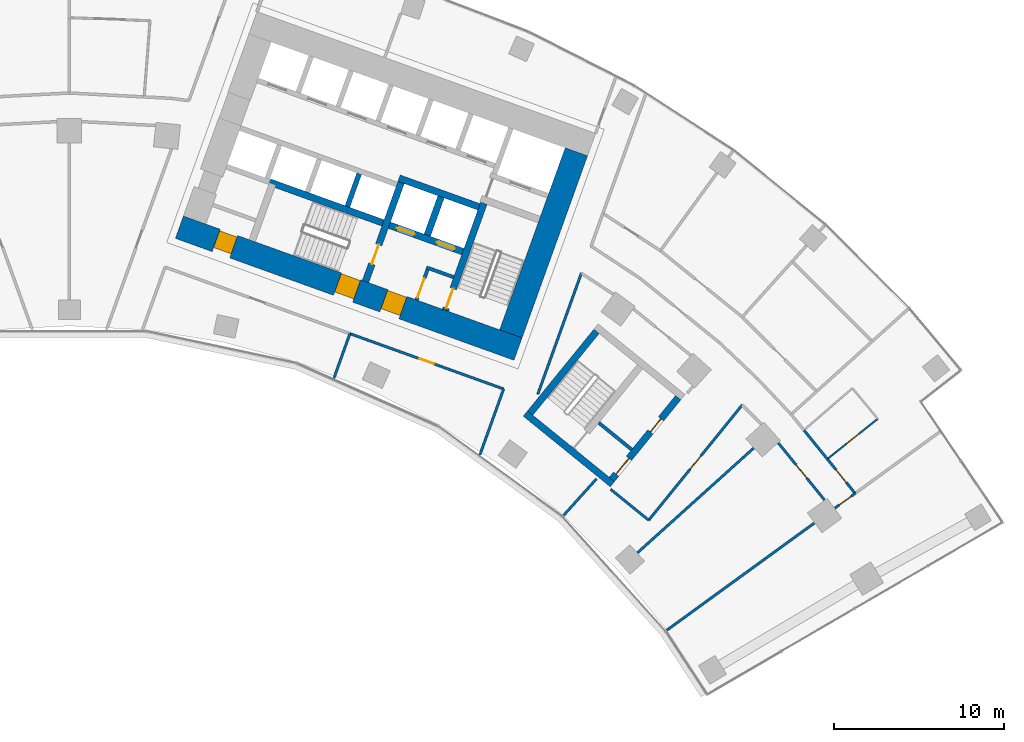
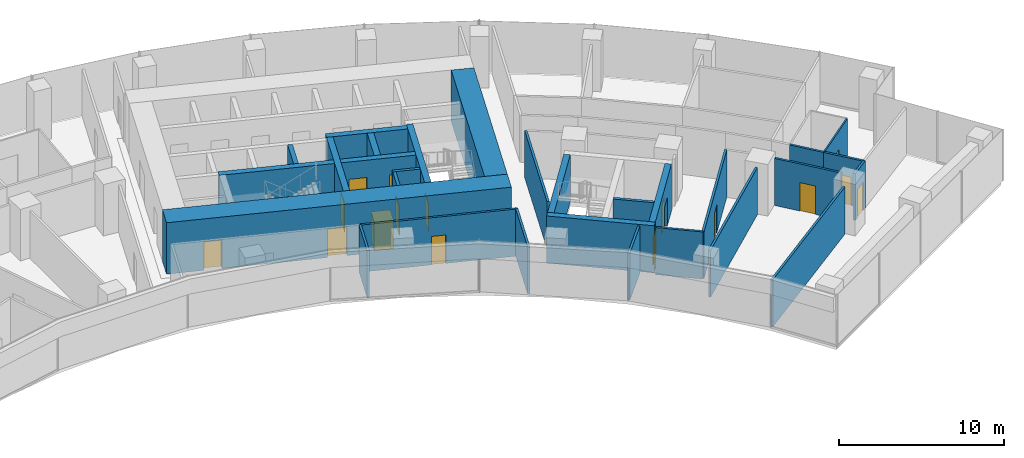
# One storey, part 16 of 20: 28 walls, 16 doors, 16 openings.
"""IFC4 building model written with IfcOpenShell, lengths in metres."""

from ifc_helpers import new_model, si_unit, direction, frame, frame_2d, origin, place, context, subcontext, project, spatial, rectangle, extrude, material, layer, layer_set, type_object, element, fill, save


model = new_model("IFC4")

# Units and contexts
model_context = context("Model", 3, precision=1e-05, world=origin(), true_north=direction((0.0, 1.0)))
body_context = subcontext(model_context, "Body", "Model", "MODEL_VIEW")
ifc_project = project(units=[si_unit("LENGTHUNIT", "METRE"), si_unit("AREAUNIT", "SQUARE_METRE"), si_unit("VOLUMEUNIT", "CUBIC_METRE"), si_unit("PLANEANGLEUNIT", "RADIAN"), si_unit("MASSUNIT", "GRAM", prefix="KILO")], contexts=[model_context])

# Site, building, storey
site_placement = place(None, origin())
site = spatial("IfcSite", under=ifc_project, at=site_placement, CompositionType="ELEMENT")
building_placement = place(site_placement, origin())
building = spatial("IfcBuilding", under=site, at=building_placement, Name="Stone Belt Terrace Tower", CompositionType="ELEMENT")
storey_placement = place(building_placement, frame((0.0, 0.0, 106.0)))
storey = spatial("IfcBuildingStorey", under=building, at=storey_placement, Name="L25", CompositionType="ELEMENT", Elevation=106.0)

# Wall, openings, doors
ifc_material_1 = material(Name="Concrete B80", Category="concrete")
ifc_layer_1 = layer(ifc_material_1, 1.39990234375)
ifc_layer_set_1 = layer_set([ifc_layer_1], Name="Core wall 1400 B80")
wall_type_1 = type_object("IfcWallType", Name="Core wall 1400 B80", PredefinedType="SHEAR", material=ifc_layer_set_1)
wall_1_placement = place(storey_placement, frame((6.4833984375, 49.318115234375, 0.0), z_axis=(0.0, 0.0, 1.0), x_axis=(0.940923374003, -0.33861955681, 0.0)))
wall_1 = element("IfcWall", 1, at=wall_1_placement, inside=storey, type_object=wall_type_1, Name="Core B wall concave L25", PredefinedType="SHEAR", context=body_context, shape_type="SweptSolid", body=[
    extrude(rectangle(XDim=21.199951171875, YDim=1.39990234375, at=frame_2d((10.60009765625, 0.0))), origin(), (0.0, 0.0, 1.0), 3.800048828125),
])
opening_1_placement = place(wall_1_placement, frame((12.800048828125, 0.0, 0.0)))
opening_1 = element("IfcOpeningElement", 2, at=opening_1_placement, cuts=wall_1, Name="Opening L25-C14", PredefinedType="OPENING", context=body_context, shape_type="SweptSolid", body=[
    extrude(rectangle(XDim=1.199951171875, YDim=2.10009765625, at=frame_2d((0.60009765625, 1.050048828125))), frame((0.0, 0.7099609375, 0.0), z_axis=(0.0, -1.0, 0.0), x_axis=(1.0, 0.0, 0.0)), (0.0, 0.0, 1.0), 1.419921875),
])
opening_2_placement = place(wall_1_placement, frame((9.89990234375, 0.0, 0.0)))
opening_2 = element("IfcOpeningElement", 3, at=opening_2_placement, cuts=wall_1, Name="Opening L25-C16", PredefinedType="OPENING", context=body_context, shape_type="SweptSolid", body=[
    extrude(rectangle(XDim=1.199951171875, YDim=2.10009765625, at=frame_2d((0.60009765625, 1.050048828125))), frame((0.0, 0.7099609375, 0.0), z_axis=(0.0, -1.0, 0.0), x_axis=(1.0, 0.0, 0.0)), (0.0, 0.0, 1.0), 1.419921875),
])
opening_3_placement = place(wall_1_placement, frame((2.300048828125, 0.0, 0.0)))
opening_3 = element("IfcOpeningElement", 4, at=opening_3_placement, cuts=wall_1, Name="Opening L25-C18", PredefinedType="OPENING", context=body_context, shape_type="SweptSolid", body=[
    extrude(rectangle(XDim=1.10009765625, YDim=2.10009765625, at=frame_2d((0.550048828125, 1.050048828125))), frame((0.0, 0.7099609375, 0.0), z_axis=(0.0, -1.0, 0.0), x_axis=(1.0, 0.0, 0.0)), (0.0, 0.0, 1.0), 1.419921875),
])
ifc_material_2 = material(Name="Timber door leaf", Category="wood")
door_type_1 = type_object("IfcDoorType", Name="Core room door 1100", OperationType="SINGLE_SWING_LEFT", PredefinedType="DOOR", material=ifc_material_2)
door_1_placement = place(opening_3_placement, origin())
door_1 = element("IfcDoor", 5, at=door_1_placement, inside=storey, type_object=door_type_1, Name="Door to Pipe riser core B", OperationType="SINGLE_SWING_LEFT", OverallHeight=2.10009765625, OverallWidth=1.10009765625, PredefinedType="DOOR", context=body_context, shape_type="SweptSolid", body=[
    extrude(rectangle(XDim=1.10009765625, YDim=2.10009765625, at=frame_2d((0.550048828125, 1.050048828125))), frame((0.0, 0.60498046875, 0.0), z_axis=(0.0, -1.0, 0.0), x_axis=(1.0, 0.0, 0.0)), (0.0, 0.0, 1.0), 1.050048828125),
])
fill(opening_3, door_1)
ifc_material_3 = material(Name="Steel door leaf", Category="steel")
door_type_2 = type_object("IfcDoorType", Name="Fire-fighting lobby door 1200", OperationType="SINGLE_SWING_LEFT", PredefinedType="DOOR", material=ifc_material_3)
door_2_placement = place(opening_1_placement, origin())
door_2 = element("IfcDoor", 6, at=door_2_placement, inside=storey, type_object=door_type_2, Name="Fire-fighting lobby door core B", OperationType="SINGLE_SWING_LEFT", OverallHeight=2.10009765625, OverallWidth=1.199951171875, PredefinedType="DOOR", context=body_context, shape_type="SweptSolid", body=[
    extrude(rectangle(XDim=1.199951171875, YDim=2.10009765625, at=frame_2d((0.60009765625, 1.050048828125))), frame((0.0, 0.655029296875, 0.0), z_axis=(0.0, -1.0, 0.0), x_axis=(1.0, 0.0, 0.0)), (0.0, 0.0, 1.0), 1.14990234375),
])
fill(opening_1, door_2)
door_type_3 = type_object("IfcDoorType", Name="Stair door 1200", OperationType="SINGLE_SWING_LEFT", PredefinedType="DOOR", material=ifc_material_3)
door_3_placement = place(opening_2_placement, origin())
door_3 = element("IfcDoor", 7, at=door_3_placement, inside=storey, type_object=door_type_3, Name="Stair 2 exit door core B", OperationType="SINGLE_SWING_RIGHT", OverallHeight=2.10009765625, OverallWidth=1.199951171875, PredefinedType="DOOR", context=body_context, shape_type="SweptSolid", body=[
    extrude(rectangle(XDim=1.199951171875, YDim=2.10009765625, at=frame_2d((0.60009765625, 1.050048828125))), frame((0.0, 0.655029296875, 0.0), z_axis=(0.0, -1.0, 0.0), x_axis=(1.0, 0.0, 0.0)), (0.0, 0.0, 1.0), 1.14990234375),
])
fill(opening_2, door_3)

# Walls
wall_2_placement = place(storey_placement, frame((26.00927734375, 43.03515625, 0.0), z_axis=(0.0, 0.0, 1.0), x_axis=(0.338625431531, 0.940921259788, 0.0)))
element("IfcWall", 8, at=wall_2_placement, inside=storey, type_object=wall_type_1, Name="Core B wall end_b L25", PredefinedType="SHEAR", context=body_context, shape_type="SweptSolid", body=[
    extrude(rectangle(XDim=11.400146484375, YDim=1.39990234375, at=frame_2d((5.7001953125, 0.0))), origin(), (0.0, 0.0, 1.0), 3.800048828125),
])
ifc_layer_2 = layer(ifc_material_1, 0.39990234375)
ifc_layer_set_2 = layer_set([ifc_layer_2], Name="Fire-fighting lift shaft wall 400")
wall_type_2 = type_object("IfcWallType", Name="Fire-fighting lift shaft wall 400", PredefinedType="SHEAR", material=ifc_layer_set_2)
wall_3_placement = place(storey_placement, frame((24.130615234375, 50.512939453125, 0.0), z_axis=(0.0, 0.0, 1.0), x_axis=(-0.94091168377, 0.338652038744, 0.0)))
element("IfcWall", 9, at=wall_3_placement, inside=storey, type_object=wall_type_2, Name="Core B wall", PredefinedType="SHEAR", context=body_context, shape_type="SweptSolid", body=[
    extrude(rectangle(XDim=5.000244140625, YDim=0.39990234375, at=frame_2d((2.5, 0.0))), origin(), (0.0, 0.0, 1.0), 3.47998046875),
])
wall_4_placement = place(storey_placement, frame((21.0859375, 48.845458984375, 0.0), z_axis=(0.0, 0.0, 1.0), x_axis=(0.338629416206, 0.940919825745, 0.0)))
element("IfcWall", 10, at=wall_4_placement, inside=storey, type_object=wall_type_2, Name="Core B wall", PredefinedType="SHEAR", context=body_context, shape_type="SweptSolid", body=[
    extrude(rectangle(XDim=2.400146484375, YDim=0.39990234375, at=frame_2d((1.2001953125, 0.0))), origin(), (0.0, 0.0, 1.0), 3.47998046875),
])
ifc_layer_3 = layer(ifc_material_1, 0.300048828125)
ifc_layer_set_3 = layer_set([ifc_layer_3], Name="Lift shaft wall 300")
wall_type_3 = type_object("IfcWallType", Name="Lift shaft wall 300", PredefinedType="SHEAR", material=ifc_layer_set_3)
wall_5_placement = place(storey_placement, frame((16.38134765625, 50.53857421875, 0.0), z_axis=(0.0, 0.0, 1.0), x_axis=(0.338681515556, 0.940901073982, 0.0)))
element("IfcWall", 11, at=wall_5_placement, inside=storey, type_object=wall_type_3, Name="Core B wall", PredefinedType="SHEAR", context=body_context, shape_type="SweptSolid", body=[
    extrude(rectangle(XDim=2.050048828125, YDim=0.300048828125, at=frame_2d((1.02490234375, 0.0))), origin(), (0.0, 0.0, 1.0), 3.47998046875),
])

# Wall, opening, door
ifc_material_4 = material(Name="Gypsum board partition")
ifc_layer_4 = layer(ifc_material_4, 0.10009765625)
ifc_layer_set_4 = layer_set([ifc_layer_4], Name="PARTITION 100")
wall_type_4 = type_object("IfcWallType", Name="PARTITION 100", PredefinedType="PARTITIONING", material=ifc_layer_set_4)
wall_6_placement = place(storey_placement, frame((44.657958984375, 35.658935546875, 0.0), z_axis=(0.0, 0.0, 1.0), x_axis=(0.781420349755, 0.624004997567, 0.0)))
wall_6 = element("IfcWall", 12, at=wall_6_placement, inside=storey, type_object=wall_type_4, Name="L25/wall/i080", PredefinedType="PARTITIONING", context=body_context, shape_type="SweptSolid", body=[
    extrude(rectangle(XDim=3.79833984375, YDim=0.10009765625, at=frame_2d((1.899169921875, 0.0))), origin(), (0.0, 0.0, 1.0), 3.47998046875),
])
opening_4_placement = place(wall_6_placement, frame((1.448974609375, 0.0, 0.0)))
opening_4 = element("IfcOpeningElement", 13, at=opening_4_placement, cuts=wall_6, Name="Opening D-B3-25", PredefinedType="OPENING", context=body_context, shape_type="SweptSolid", body=[
    extrude(rectangle(XDim=0.89990234375, YDim=2.10009765625, at=frame_2d((0.449951171875, 1.050048828125))), frame((0.0, 0.06005859375, 0.0), z_axis=(0.0, -1.0, 0.0), x_axis=(1.0, 0.0, 0.0)), (0.0, 0.0, 1.0), 0.1201171875),
])
door_type_4 = type_object("IfcDoorType", Name="OFFICE DOOR 900 X 2100", OperationType="NOTDEFINED", PredefinedType="DOOR", material=ifc_material_2)
door_4_placement = place(opening_4_placement, origin())
door_4 = element("IfcDoor", 14, at=door_4_placement, inside=storey, type_object=door_type_4, Name="L25/door/i25", OperationType="SINGLE_SWING_RIGHT", OverallHeight=2.10009765625, OverallWidth=0.89990234375, PredefinedType="DOOR", context=body_context, shape_type="SweptSolid", body=[
    extrude(rectangle(XDim=0.89990234375, YDim=2.10009765625, at=frame_2d((0.449951171875, 1.050048828125))), frame((0.0, 0.02490234375, 0.0), z_axis=(0.0, -1.0, 0.0), x_axis=(1.0, 0.0, 0.0)), (0.0, 0.0, 1.0), 0.050048828125),
])
fill(opening_4, door_4)

# Walls
ifc_layer_5 = layer(ifc_material_4, 0.14990234375)
ifc_layer_set_5 = layer_set([ifc_layer_5], Name="PARTITION 150 EI 60")
wall_type_5 = type_object("IfcWallType", Name="PARTITION 150 EI 60", PredefinedType="PARTITIONING", material=ifc_layer_set_5)
wall_7_placement = place(storey_placement, frame((24.18603515625, 35.902099609375, 0.0), z_axis=(0.0, 0.0, 1.0), x_axis=(0.338545933013, 0.940949866486, 0.0)))
element("IfcWall", 15, at=wall_7_placement, inside=storey, type_object=wall_type_5, Name="L25/wall/i018", PredefinedType="PARTITIONING", context=body_context, shape_type="SweptSolid", body=[
    extrude(rectangle(XDim=4.135009765625, YDim=0.14990234375, at=frame_2d((2.0673828125, 0.0))), origin(), (0.0, 0.0, 1.0), 3.47998046875),
])
wall_8_placement = place(storey_placement, frame((30.1669921875, 46.612060546875, 0.0), z_axis=(0.0, 0.0, 1.0), x_axis=(-0.338694393991, -0.940896438233, 0.0)))
element("IfcWall", 16, at=wall_8_placement, inside=storey, type_object=wall_type_5, Name="L25/wall/i020", PredefinedType="PARTITIONING", context=body_context, shape_type="SweptSolid", body=[
    extrude(rectangle(XDim=7.585205078125, YDim=0.14990234375, at=frame_2d((3.79248046875, 0.0))), origin(), (0.0, 0.0, 1.0), 3.47998046875),
])
wall_9_placement = place(storey_placement, frame((31.054931640625, 34.489990234375, 0.0), z_axis=(0.0, 0.0, 1.0), x_axis=(-0.669108362487, -0.743164853347, 0.0)))
element("IfcWall", 17, at=wall_9_placement, inside=storey, type_object=wall_type_5, Name="L25/wall/i021", PredefinedType="PARTITIONING", context=body_context, shape_type="SweptSolid", body=[
    extrude(rectangle(XDim=2.910888671875, YDim=0.14990234375, at=frame_2d((1.45556640625, 0.0))), origin(), (0.0, 0.0, 1.0), 3.47998046875),
])

# Wall, opening, door
wall_10_placement = place(storey_placement, frame((25.583984375, 39.787109375, 0.0), z_axis=(0.0, 0.0, 1.0), x_axis=(-0.940920049303, 0.338628795025, 0.0)))
wall_10 = element("IfcWall", 18, at=wall_10_placement, inside=storey, type_object=wall_type_5, Name="L25/wall/i025", PredefinedType="PARTITIONING", context=body_context, shape_type="SweptSolid", body=[
    extrude(rectangle(XDim=9.6298828125, YDim=0.14990234375, at=frame_2d((4.81494140625, 0.0))), origin(), (0.0, 0.0, 1.0), 3.47998046875),
])
opening_5_placement = place(wall_10_placement, frame((4.364990234375, 0.0, 0.0)))
opening_5 = element("IfcOpeningElement", 19, at=opening_5_placement, cuts=wall_10, Name="Opening D-B3-06", PredefinedType="OPENING", context=body_context, shape_type="SweptSolid", body=[
    extrude(rectangle(XDim=0.89990234375, YDim=2.10009765625, at=frame_2d((0.449951171875, 1.050048828125))), frame((0.0, 0.0849609375, 0.0), z_axis=(0.0, -1.0, 0.0), x_axis=(1.0, 0.0, 0.0)), (0.0, 0.0, 1.0), 0.169921875),
])
door_5_placement = place(opening_5_placement, origin())
door_5 = element("IfcDoor", 20, at=door_5_placement, inside=storey, type_object=door_type_4, Name="L25/door/i06", OperationType="SINGLE_SWING_RIGHT", OverallHeight=2.10009765625, OverallWidth=0.89990234375, PredefinedType="DOOR", context=body_context, shape_type="SweptSolid", body=[
    extrude(rectangle(XDim=0.89990234375, YDim=2.10009765625, at=frame_2d((0.449951171875, 1.050048828125))), frame((0.0, 0.02490234375, 0.0), z_axis=(0.0, -1.0, 0.0), x_axis=(1.0, 0.0, 0.0)), (0.0, 0.0, 1.0), 0.050048828125),
])
fill(opening_5, door_5)

# Wall
wall_11_placement = place(storey_placement, frame((16.529052734375, 43.0458984375, 0.0), z_axis=(0.0, 0.0, 1.0), x_axis=(-0.338428517888, -0.940992103198, 0.0)))
element("IfcWall", 21, at=wall_11_placement, inside=storey, type_object=wall_type_5, Name="L25/wall/i026", PredefinedType="PARTITIONING", context=body_context, shape_type="SweptSolid", body=[
    extrude(rectangle(XDim=2.793212890625, YDim=0.14990234375, at=frame_2d((1.396484375, 0.0))), origin(), (0.0, 0.0, 1.0), 3.47998046875),
])

# Wall, opening, door
wall_12_placement = place(storey_placement, frame((46.301025390625, 33.638916015625, 0.0), z_axis=(0.0, 0.0, 1.0), x_axis=(-0.809407972322, -0.587246740597, 0.0)))
wall_12 = element("IfcWall", 22, at=wall_12_placement, inside=storey, type_object=wall_type_5, Name="L25/wall/i050", PredefinedType="PARTITIONING", context=body_context, shape_type="SweptSolid", body=[
    extrude(rectangle(XDim=1.475830078125, YDim=0.14990234375, at=frame_2d((0.73779296875, 0.0))), origin(), (0.0, 0.0, 1.0), 3.47998046875),
])
opening_6_placement = place(wall_12_placement, frame((0.287841796875, 0.0, 0.0)))
opening_6 = element("IfcOpeningElement", 23, at=opening_6_placement, cuts=wall_12, Name="Opening D-B3-16", PredefinedType="OPENING", context=body_context, shape_type="SweptSolid", body=[
    extrude(rectangle(XDim=0.89990234375, YDim=2.10009765625, at=frame_2d((0.449951171875, 1.050048828125))), frame((0.0, 0.0849609375, 0.0), z_axis=(0.0, -1.0, 0.0), x_axis=(1.0, 0.0, 0.0)), (0.0, 0.0, 1.0), 0.169921875),
])
door_6_placement = place(opening_6_placement, origin())
door_6 = element("IfcDoor", 24, at=door_6_placement, inside=storey, type_object=door_type_4, Name="L25/door/i16", OperationType="SINGLE_SWING_RIGHT", OverallHeight=2.10009765625, OverallWidth=0.89990234375, PredefinedType="DOOR", context=body_context, shape_type="SweptSolid", body=[
    extrude(rectangle(XDim=0.89990234375, YDim=2.10009765625, at=frame_2d((0.449951171875, 1.050048828125))), frame((0.0, 0.02490234375, 0.0), z_axis=(0.0, -1.0, 0.0), x_axis=(1.0, 0.0, 0.0)), (0.0, 0.0, 1.0), 0.050048828125),
])
fill(opening_6, door_6)

# Wall
wall_13_placement = place(storey_placement, frame((35.192138671875, 25.568115234375, 0.0), z_axis=(0.0, 0.0, 1.0), x_axis=(0.809024841759, 0.587774451143, 0.0)))
element("IfcWall", 25, at=wall_13_placement, inside=storey, type_object=wall_type_5, Name="L25/wall/i051", PredefinedType="PARTITIONING", context=body_context, shape_type="SweptSolid", body=[
    extrude(rectangle(XDim=10.745361328125, YDim=0.14990234375, at=frame_2d((5.37255859375, 0.0))), origin(), (0.0, 0.0, 1.0), 3.47998046875),
])

# Wall, opening, door
wall_14_placement = place(storey_placement, frame((44.485107421875, 33.253662109375, 0.0), z_axis=(0.0, 0.0, 1.0), x_axis=(-0.629214542808, 0.777231663739, 0.0)))
wall_14 = element("IfcWall", 26, at=wall_14_placement, inside=storey, type_object=wall_type_5, Name="L25/wall/i059", PredefinedType="PARTITIONING", context=body_context, shape_type="SweptSolid", body=[
    extrude(rectangle(XDim=4.304931640625, YDim=0.14990234375, at=frame_2d((2.15234375, 0.0))), origin(), (0.0, 0.0, 1.0), 3.47998046875),
])
opening_7_placement = place(wall_14_placement, frame((1.652587890625, 0.0, 0.0)))
opening_7 = element("IfcOpeningElement", 27, at=opening_7_placement, cuts=wall_14, Name="Opening D-B3-19", PredefinedType="OPENING", context=body_context, shape_type="SweptSolid", body=[
    extrude(rectangle(XDim=1.0, YDim=2.10009765625, at=frame_2d((0.5, 1.050048828125))), frame((0.0, 0.0849609375, 0.0), z_axis=(0.0, -1.0, 0.0), x_axis=(1.0, 0.0, 0.0)), (0.0, 0.0, 1.0), 0.169921875),
])
ifc_material_5 = material(Name="Timber fire door leaf", Category="wood")
door_type_5 = type_object("IfcDoorType", Name="TENANCY ENTRANCE DOOR 1000 X 2100", OperationType="NOTDEFINED", PredefinedType="DOOR", material=ifc_material_5)
door_7_placement = place(opening_7_placement, origin())
door_7 = element("IfcDoor", 28, at=door_7_placement, inside=storey, type_object=door_type_5, Name="L25/door/i19", OperationType="SINGLE_SWING_RIGHT", OverallHeight=2.10009765625, OverallWidth=1.0, PredefinedType="DOOR", context=body_context, shape_type="SweptSolid", body=[
    extrude(rectangle(XDim=1.0, YDim=2.10009765625, at=frame_2d((0.5, 1.050048828125))), frame((0.0, 0.02490234375, 0.0), z_axis=(0.0, -1.0, 0.0), x_axis=(1.0, 0.0, 0.0)), (0.0, 0.0, 1.0), 0.050048828125),
])
fill(opening_7, door_7)

wall_15_placement = place(storey_placement, frame((44.654052734375, 35.6630859375, 0.0), z_axis=(0.0, 0.0, 1.0), x_axis=(0.629397440797, -0.777083561477, 0.0)))
wall_15 = element("IfcWall", 29, at=wall_15_placement, inside=storey, type_object=wall_type_5, Name="L25/wall/i062", PredefinedType="PARTITIONING", context=body_context, shape_type="SweptSolid", body=[
    extrude(rectangle(XDim=2.608642578125, YDim=0.14990234375, at=frame_2d((1.30419921875, 0.0))), origin(), (0.0, 0.0, 1.0), 3.47998046875),
])
opening_8_placement = place(wall_15_placement, frame((0.80419921875, 0.0, 0.0)))
opening_8 = element("IfcOpeningElement", 30, at=opening_8_placement, cuts=wall_15, Name="Opening D-B3-24", PredefinedType="OPENING", context=body_context, shape_type="SweptSolid", body=[
    extrude(rectangle(XDim=1.0, YDim=2.10009765625, at=frame_2d((0.5, 1.050048828125))), frame((0.0, 0.0849609375, 0.0), z_axis=(0.0, -1.0, 0.0), x_axis=(1.0, 0.0, 0.0)), (0.0, 0.0, 1.0), 0.169921875),
])
door_8_placement = place(opening_8_placement, origin())
door_8 = element("IfcDoor", 31, at=door_8_placement, inside=storey, type_object=door_type_5, Name="L25/door/i24", OperationType="SINGLE_SWING_RIGHT", OverallHeight=2.10009765625, OverallWidth=1.0, PredefinedType="DOOR", context=body_context, shape_type="SweptSolid", body=[
    extrude(rectangle(XDim=1.0, YDim=2.10009765625, at=frame_2d((0.5, 1.050048828125))), frame((0.0, 0.02490234375, 0.0), z_axis=(0.0, -1.0, 0.0), x_axis=(1.0, 0.0, 0.0)), (0.0, 0.0, 1.0), 0.050048828125),
])
fill(opening_8, door_8)

# Wall
wall_16_placement = place(storey_placement, frame((43.27490234375, 37.365966796875, 0.0), z_axis=(0.0, 0.0, 1.0), x_axis=(0.629239678962, -0.777211313878, 0.0)))
element("IfcWall", 32, at=wall_16_placement, inside=storey, type_object=wall_type_5, Name="L25/wall/i063", PredefinedType="PARTITIONING", context=body_context, shape_type="SweptSolid", body=[
    extrude(rectangle(XDim=2.20263671875, YDim=0.14990234375, at=frame_2d((1.101318359375, 0.0))), origin(), (0.0, 0.0, 1.0), 3.47998046875),
])

# Wall, opening, door
wall_17_placement = place(storey_placement, frame((39.64599609375, 38.84912109375, 0.0), z_axis=(0.0, 0.0, 1.0), x_axis=(-0.630141823003, -0.776480059566, 0.0)))
wall_17 = element("IfcWall", 33, at=wall_17_placement, inside=storey, type_object=wall_type_5, Name="L25/wall/i065", PredefinedType="PARTITIONING", context=body_context, shape_type="SweptSolid", body=[
    extrude(rectangle(XDim=8.748779296875, YDim=0.14990234375, at=frame_2d((4.37451171875, 0.0))), origin(), (0.0, 0.0, 1.0), 3.47998046875),
])
opening_9_placement = place(wall_17_placement, frame((3.874267578125, 0.0, 0.0)))
opening_9 = element("IfcOpeningElement", 34, at=opening_9_placement, cuts=wall_17, Name="Opening D-B3-18", PredefinedType="OPENING", context=body_context, shape_type="SweptSolid", body=[
    extrude(rectangle(XDim=1.0, YDim=2.10009765625, at=frame_2d((0.5, 1.050048828125))), frame((0.0, 0.0849609375, 0.0), z_axis=(0.0, -1.0, 0.0), x_axis=(1.0, 0.0, 0.0)), (0.0, 0.0, 1.0), 0.169921875),
])
door_9_placement = place(opening_9_placement, origin())
door_9 = element("IfcDoor", 35, at=door_9_placement, inside=storey, type_object=door_type_5, Name="L25/door/i18", OperationType="SINGLE_SWING_RIGHT", OverallHeight=2.10009765625, OverallWidth=1.0, PredefinedType="DOOR", context=body_context, shape_type="SweptSolid", body=[
    extrude(rectangle(XDim=1.0, YDim=2.10009765625, at=frame_2d((0.5, 1.050048828125))), frame((0.0, 0.02490234375, 0.0), z_axis=(0.0, -1.0, 0.0), x_axis=(1.0, 0.0, 0.0)), (0.0, 0.0, 1.0), 0.050048828125),
])
fill(opening_9, door_9)

# Walls
wall_18_placement = place(storey_placement, frame((34.133056640625, 32.055908203125, 0.0), z_axis=(0.0, 0.0, 1.0), x_axis=(-0.776369956068, 0.630277471686, 0.0)))
element("IfcWall", 36, at=wall_18_placement, inside=storey, type_object=wall_type_5, Name="L25/wall/i066", PredefinedType="PARTITIONING", context=body_context, shape_type="SweptSolid", body=[
    extrude(rectangle(XDim=2.8876953125, YDim=0.14990234375, at=frame_2d((1.44384765625, 0.0))), origin(), (0.0, 0.0, 1.0), 3.47998046875),
])
wall_19_placement = place(storey_placement, frame((40.311767578125, 36.297119140625, 0.0), z_axis=(0.0, 0.0, 1.0), x_axis=(-0.74312513137, -0.669152478233, 0.0)))
element("IfcWall", 37, at=wall_19_placement, inside=storey, type_object=wall_type_5, Name="L25/wall/i067", PredefinedType="PARTITIONING", context=body_context, shape_type="SweptSolid", body=[
    extrude(rectangle(XDim=9.195068359375, YDim=0.14990234375, at=frame_2d((4.59765625, 0.0))), origin(), (0.0, 0.0, 1.0), 3.47998046875),
])
ifc_material_6 = material(Name="Concrete masonry block", Category="masonry")
ifc_layer_6 = layer(ifc_material_6, 0.199951171875)
ifc_layer_set_6 = layer_set([ifc_layer_6], Name="Rated lobby wall 200")
wall_type_6 = type_object("IfcWallType", Name="Rated lobby wall 200", PredefinedType="PARTITIONING", material=ifc_layer_set_6)
wall_20_placement = place(storey_placement, frame((22.640625, 46.373046875, 0.0), z_axis=(0.0, 0.0, 1.0), x_axis=(-0.940966110313, 0.338500781747, 0.0)))
element("IfcWall", 38, at=wall_20_placement, inside=storey, type_object=wall_type_6, Name="Core B wall", PredefinedType="PARTITIONING", context=body_context, shape_type="SweptSolid", body=[
    extrude(rectangle(XDim=1.699951171875, YDim=0.199951171875, at=frame_2d((0.85009765625, 0.0))), origin(), (0.0, 0.0, 1.0), 3.47998046875),
])

# Wall, opening, door
wall_21_placement = place(storey_placement, frame((20.4580078125, 45.032958984375, 0.0), z_axis=(0.0, 0.0, 1.0), x_axis=(0.338573865316, 0.940939816208, 0.0)))
wall_21 = element("IfcWall", 39, at=wall_21_placement, inside=storey, type_object=wall_type_6, Name="Core B wall", PredefinedType="PARTITIONING", context=body_context, shape_type="SweptSolid", body=[
    extrude(rectangle(XDim=1.900146484375, YDim=0.199951171875, at=frame_2d((0.9501953125, 0.0))), origin(), (0.0, 0.0, 1.0), 3.47998046875),
])
opening_10_placement = place(wall_21_placement, frame((0.14990234375, 0.0, 0.0)))
opening_10 = element("IfcOpeningElement", 40, at=opening_10_placement, cuts=wall_21, Name="Opening L25-C13", PredefinedType="OPENING", context=body_context, shape_type="SweptSolid", body=[
    extrude(rectangle(XDim=1.199951171875, YDim=2.10009765625, at=frame_2d((0.60009765625, 1.050048828125))), frame((0.0, 0.10986328125, 0.0), z_axis=(0.0, -1.0, 0.0), x_axis=(1.0, 0.0, 0.0)), (0.0, 0.0, 1.0), 0.219970703125),
])
door_10_placement = place(opening_10_placement, origin())
door_10 = element("IfcDoor", 41, at=door_10_placement, inside=storey, type_object=door_type_3, Name="Stair airlock door core B", OperationType="SINGLE_SWING_LEFT", OverallHeight=2.10009765625, OverallWidth=1.199951171875, PredefinedType="DOOR", context=body_context, shape_type="SweptSolid", body=[
    extrude(rectangle(XDim=1.199951171875, YDim=2.10009765625, at=frame_2d((0.60009765625, 1.050048828125))), frame((0.0, 0.02490234375, 0.0), z_axis=(0.0, -1.0, 0.0), x_axis=(1.0, 0.0, 0.0)), (0.0, 0.0, 1.0), 0.050048828125),
])
fill(opening_10, door_10)

# Wall
wall_22_placement = place(storey_placement, frame((31.190673828125, 37.79296875, 0.0), z_axis=(0.0, 0.0, 1.0), x_axis=(0.776370830301, -0.630276394813, 0.0)))
element("IfcWall", 42, at=wall_22_placement, inside=storey, type_object=wall_type_6, Name="Exit stair ST3B wall", PredefinedType="PARTITIONING", context=body_context, shape_type="SweptSolid", body=[
    extrude(rectangle(XDim=2.5, YDim=0.199951171875, at=frame_2d((1.25, 0.0))), origin(), (0.0, 0.0, 1.0), 3.47998046875),
])

# Wall, opening, door
ifc_layer_7 = layer(ifc_material_1, 0.39990234375)
ifc_layer_set_7 = layer_set([ifc_layer_7], Name="Stair enclosure wall 400")
wall_type_7 = type_object("IfcWallType", Name="Stair enclosure wall 400", PredefinedType="SHEAR", material=ifc_layer_set_7)
wall_23_placement = place(storey_placement, frame((22.151611328125, 44.42333984375, 0.0), z_axis=(0.0, 0.0, 1.0), x_axis=(0.338625272931, 0.940921316866, 0.0)))
wall_23 = element("IfcWall", 43, at=wall_23_placement, inside=storey, type_object=wall_type_7, Name="Core B wall", PredefinedType="SHEAR", context=body_context, shape_type="SweptSolid", body=[
    extrude(rectangle(XDim=6.699951171875, YDim=0.39990234375, at=frame_2d((3.35009765625, 0.0))), origin(), (0.0, 0.0, 1.0), 3.47998046875),
])
opening_11_placement = place(wall_23_placement, frame((0.14990234375, 0.0, 0.0)))
opening_11 = element("IfcOpeningElement", 44, at=opening_11_placement, cuts=wall_23, Name="Opening L25-C12", PredefinedType="OPENING", context=body_context, shape_type="SweptSolid", body=[
    extrude(rectangle(XDim=1.199951171875, YDim=2.10009765625, at=frame_2d((0.60009765625, 1.050048828125))), frame((0.0, 0.2099609375, 0.0), z_axis=(0.0, -1.0, 0.0), x_axis=(1.0, 0.0, 0.0)), (0.0, 0.0, 1.0), 0.419921875),
])
door_11_placement = place(opening_11_placement, origin())
door_11 = element("IfcDoor", 45, at=door_11_placement, inside=storey, type_object=door_type_3, Name="Stair 1 door core B", OperationType="SINGLE_SWING_LEFT", OverallHeight=2.10009765625, OverallWidth=1.199951171875, PredefinedType="DOOR", context=body_context, shape_type="SweptSolid", body=[
    extrude(rectangle(XDim=1.199951171875, YDim=2.10009765625, at=frame_2d((0.60009765625, 1.050048828125))), frame((0.0, 0.02490234375, 0.0), z_axis=(0.0, -1.0, 0.0), x_axis=(1.0, 0.0, 0.0)), (0.0, 0.0, 1.0), 0.050048828125),
])
fill(opening_11, door_11)

# Wall, openings, doors
wall_24_placement = place(storey_placement, frame((23.182373046875, 47.87841796875, 0.0), z_axis=(0.0, 0.0, 1.0), x_axis=(-0.940921101762, 0.338625870628, 0.0)))
wall_24 = element("IfcWall", 46, at=wall_24_placement, inside=storey, type_object=wall_type_7, Name="Core B wall", PredefinedType="SHEAR", context=body_context, shape_type="SweptSolid", body=[
    extrude(rectangle(XDim=12.10009765625, YDim=0.39990234375, at=frame_2d((6.050048828125, 0.0))), origin(), (0.0, 0.0, 1.0), 3.47998046875),
])
opening_12_placement = place(wall_24_placement, frame((0.52001953125, 0.0, 0.0)))
opening_12 = element("IfcOpeningElement", 47, at=opening_12_placement, cuts=wall_24, Name="Opening L25-LD16", PredefinedType="OPENING", context=body_context, shape_type="SweptSolid", body=[
    extrude(rectangle(XDim=1.10009765625, YDim=2.199951171875, at=frame_2d((0.550048828125, 1.10009765625))), frame((0.0, 0.2099609375, 0.0), z_axis=(0.0, -1.0, 0.0), x_axis=(1.0, 0.0, 0.0)), (0.0, 0.0, 1.0), 0.419921875),
])
opening_13_placement = place(wall_24_placement, frame((3.02001953125, 0.0, 0.0)))
opening_13 = element("IfcOpeningElement", 48, at=opening_13_placement, cuts=wall_24, Name="Opening L25-LD17", PredefinedType="OPENING", context=body_context, shape_type="SweptSolid", body=[
    extrude(rectangle(XDim=1.10009765625, YDim=2.199951171875, at=frame_2d((0.550048828125, 1.10009765625))), frame((0.0, 0.2099609375, 0.0), z_axis=(0.0, -1.0, 0.0), x_axis=(1.0, 0.0, 0.0)), (0.0, 0.0, 1.0), 0.419921875),
])
ifc_material_7 = material(Name="Stainless steel door leaf", Category="steel")
door_type_6 = type_object("IfcDoorType", Name="Landing door 1100", OperationType="SLIDING_TO_LEFT", PredefinedType="DOOR", material=ifc_material_7)
door_12_placement = place(opening_12_placement, origin())
door_12 = element("IfcDoor", 49, at=door_12_placement, inside=storey, type_object=door_type_6, Name="Landing door FF1 core B", OperationType="SLIDING_TO_LEFT", OverallHeight=2.199951171875, OverallWidth=1.10009765625, PredefinedType="DOOR", context=body_context, shape_type="SweptSolid", body=[
    extrude(rectangle(XDim=1.10009765625, YDim=2.199951171875, at=frame_2d((0.550048828125, 1.10009765625))), frame((0.0, 0.02490234375, 0.0), z_axis=(0.0, -1.0, 0.0), x_axis=(1.0, 0.0, 0.0)), (0.0, 0.0, 1.0), 0.050048828125),
])
fill(opening_12, door_12)
door_13_placement = place(opening_13_placement, origin())
door_13 = element("IfcDoor", 50, at=door_13_placement, inside=storey, type_object=door_type_6, Name="Landing door FF2 core B", OperationType="SLIDING_TO_LEFT", OverallHeight=2.199951171875, OverallWidth=1.10009765625, PredefinedType="DOOR", context=body_context, shape_type="SweptSolid", body=[
    extrude(rectangle(XDim=1.10009765625, YDim=2.199951171875, at=frame_2d((0.550048828125, 1.10009765625))), frame((0.0, 0.02490234375, 0.0), z_axis=(0.0, -1.0, 0.0), x_axis=(1.0, 0.0, 0.0)), (0.0, 0.0, 1.0), 0.050048828125),
])
fill(opening_13, door_13)

# Wall, opening, door
wall_25_placement = place(storey_placement, frame((17.447021484375, 46.116455078125, 0.0), z_axis=(0.0, 0.0, 1.0), x_axis=(0.33860791464, 0.940927563707, 0.0)))
wall_25 = element("IfcWall", 51, at=wall_25_placement, inside=storey, type_object=wall_type_7, Name="Core B wall", PredefinedType="SHEAR", context=body_context, shape_type="SweptSolid", body=[
    extrude(rectangle(XDim=6.199951171875, YDim=0.39990234375, at=frame_2d((3.10009765625, 0.0))), origin(), (0.0, 0.0, 1.0), 3.47998046875),
])
opening_14_placement = place(wall_25_placement, frame((1.10009765625, 0.0, 0.0)))
opening_14 = element("IfcOpeningElement", 52, at=opening_14_placement, cuts=wall_25, Name="Opening L25-C15", PredefinedType="OPENING", context=body_context, shape_type="SweptSolid", body=[
    extrude(rectangle(XDim=1.199951171875, YDim=2.10009765625, at=frame_2d((0.60009765625, 1.050048828125))), frame((0.0, 0.2099609375, 0.0), z_axis=(0.0, -1.0, 0.0), x_axis=(1.0, 0.0, 0.0)), (0.0, 0.0, 1.0), 0.419921875),
])
door_14_placement = place(opening_14_placement, origin())
door_14 = element("IfcDoor", 53, at=door_14_placement, inside=storey, type_object=door_type_3, Name="Stair 2 door core B", OperationType="SINGLE_SWING_LEFT", OverallHeight=2.10009765625, OverallWidth=1.199951171875, PredefinedType="DOOR", context=body_context, shape_type="SweptSolid", body=[
    extrude(rectangle(XDim=1.199951171875, YDim=2.10009765625, at=frame_2d((0.60009765625, 1.050048828125))), frame((0.0, 0.02490234375, 0.0), z_axis=(0.0, -1.0, 0.0), x_axis=(1.0, 0.0, 0.0)), (0.0, 0.0, 1.0), 0.050048828125),
])
fill(opening_14, door_14)

# Walls
wall_26_placement = place(storey_placement, frame((26.868408203125, 38.3388671875, 0.0), z_axis=(0.0, 0.0, 1.0), x_axis=(0.776428452498, -0.630205409491, 0.0)))
element("IfcWall", 54, at=wall_26_placement, inside=storey, type_object=wall_type_7, Name="Exit stair ST3B wall", PredefinedType="SHEAR", context=body_context, shape_type="SweptSolid", body=[
    extrude(rectangle(XDim=6.60009765625, YDim=0.39990234375, at=frame_2d((3.300048828125, 0.0))), origin(), (0.0, 0.0, 1.0), 3.47998046875),
])
wall_27_placement = place(storey_placement, frame((27.149658203125, 38.3681640625, 0.0), z_axis=(0.0, 0.0, 1.0), x_axis=(0.630211551729, 0.776423466973, 0.0)))
element("IfcWall", 55, at=wall_27_placement, inside=storey, type_object=wall_type_7, Name="Exit stair ST3B wall", PredefinedType="SHEAR", context=body_context, shape_type="SweptSolid", body=[
    extrude(rectangle(XDim=6.199951171875, YDim=0.39990234375, at=frame_2d((3.10009765625, 0.0))), origin(), (0.0, 0.0, 1.0), 3.47998046875),
])

# Wall, openings, doors
wall_28_placement = place(storey_placement, frame((31.963623046875, 34.460693359375, 0.0), z_axis=(0.0, 0.0, 1.0), x_axis=(0.630192283849, 0.776439106033, 0.0)))
wall_28 = element("IfcWall", 56, at=wall_28_placement, inside=storey, type_object=wall_type_7, Name="Exit stair ST3B wall", PredefinedType="SHEAR", context=body_context, shape_type="SweptSolid", body=[
    extrude(rectangle(XDim=6.199951171875, YDim=0.39990234375, at=frame_2d((3.10009765625, 0.0))), origin(), (0.0, 0.0, 1.0), 3.47998046875),
])
opening_15_placement = place(wall_28_placement, frame((0.39990234375, 0.0, 0.0)))
opening_15 = element("IfcOpeningElement", 57, at=opening_15_placement, cuts=wall_28, Name="Opening L25-C23", PredefinedType="OPENING", context=body_context, shape_type="SweptSolid", body=[
    extrude(rectangle(XDim=1.199951171875, YDim=2.10009765625, at=frame_2d((0.60009765625, 1.050048828125))), frame((0.0, 0.2099609375, 0.0), z_axis=(0.0, -1.0, 0.0), x_axis=(1.0, 0.0, 0.0)), (0.0, 0.0, 1.0), 0.419921875),
])
opening_16_placement = place(wall_28_placement, frame((3.60009765625, 0.0, 0.0)))
opening_16 = element("IfcOpeningElement", 58, at=opening_16_placement, cuts=wall_28, Name="Opening L25-C24", PredefinedType="OPENING", context=body_context, shape_type="SweptSolid", body=[
    extrude(rectangle(XDim=1.0, YDim=2.10009765625, at=frame_2d((0.5, 1.050048828125))), frame((0.0, 0.2099609375, 0.0), z_axis=(0.0, -1.0, 0.0), x_axis=(1.0, 0.0, 0.0)), (0.0, 0.0, 1.0), 0.419921875),
])
door_type_7 = type_object("IfcDoorType", Name="Core room door 1000", OperationType="SINGLE_SWING_LEFT", PredefinedType="DOOR", material=ifc_material_2)
door_15_placement = place(opening_16_placement, origin())
door_15 = element("IfcDoor", 59, at=door_15_placement, inside=storey, type_object=door_type_7, Name="Door to stair pressurisation plant room ST3B", OperationType="SINGLE_SWING_RIGHT", OverallHeight=2.10009765625, OverallWidth=1.0, PredefinedType="DOOR", context=body_context, shape_type="SweptSolid", body=[
    extrude(rectangle(XDim=1.0, YDim=2.10009765625, at=frame_2d((0.5, 1.050048828125))), frame((0.0, 0.02490234375, 0.0), z_axis=(0.0, -1.0, 0.0), x_axis=(1.0, 0.0, 0.0)), (0.0, 0.0, 1.0), 0.050048828125),
])
fill(opening_16, door_15)
door_type_8 = type_object("IfcDoorType", Name="Stair airlock door 1200", OperationType="SINGLE_SWING_LEFT", PredefinedType="DOOR", material=ifc_material_3)
door_16_placement = place(opening_15_placement, origin())
door_16 = element("IfcDoor", 60, at=door_16_placement, inside=storey, type_object=door_type_8, Name="Stair airlock door ST3B", OperationType="SINGLE_SWING_RIGHT", OverallHeight=2.10009765625, OverallWidth=1.199951171875, PredefinedType="DOOR", context=body_context, shape_type="SweptSolid", body=[
    extrude(rectangle(XDim=1.199951171875, YDim=2.10009765625, at=frame_2d((0.60009765625, 1.050048828125))), frame((0.0, 0.02490234375, 0.0), z_axis=(0.0, -1.0, 0.0), x_axis=(1.0, 0.0, 0.0)), (0.0, 0.0, 1.0), 0.050048828125),
])
fill(opening_15, door_16)

save(model, "model.ifc")
